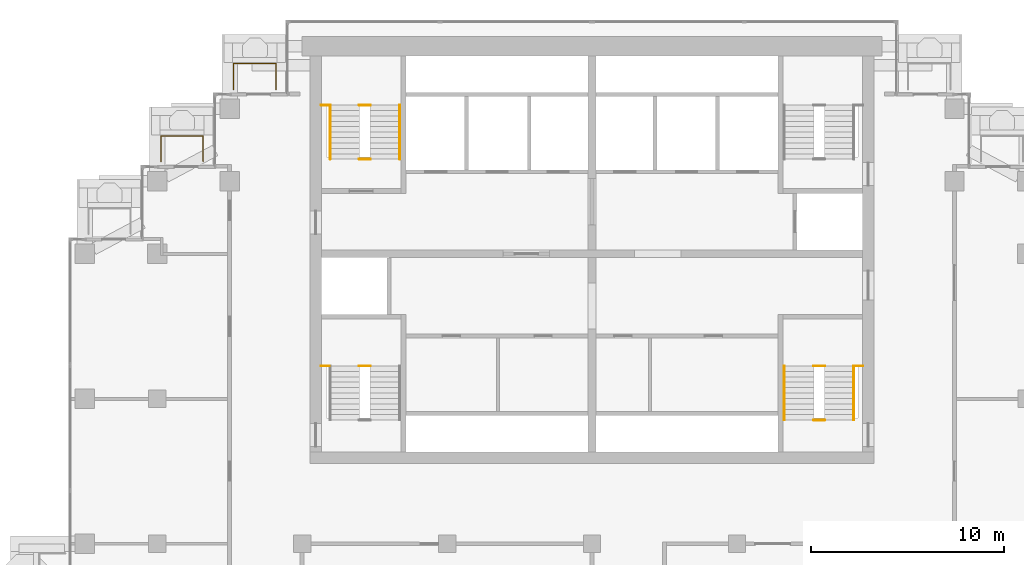
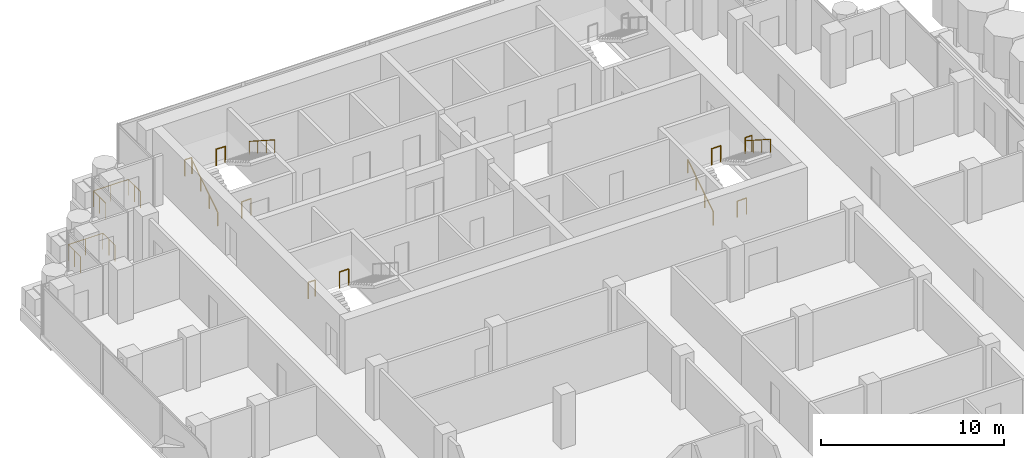
# One storey, part 16 of 18: 14 railings.
"""IFC4 building model written with IfcOpenShell, lengths in metres."""

from ifc_helpers import new_model, si_unit, direction, frame, origin, origin_2d, place, context, subcontext, project, spatial, circle, extrude, material, type_object, element, save


model = new_model("IFC4")

# Units and contexts
model_context = context("Model", 3, precision=1e-05, world=origin(), true_north=direction((0.0, 1.0)))
body_context = subcontext(model_context, "Body", "Model", "MODEL_VIEW")
ifc_project = project(units=[si_unit("LENGTHUNIT", "METRE"), si_unit("AREAUNIT", "SQUARE_METRE"), si_unit("VOLUMEUNIT", "CUBIC_METRE"), si_unit("PLANEANGLEUNIT", "RADIAN"), si_unit("MASSUNIT", "GRAM", prefix="KILO")], contexts=[model_context])

# Site, building, storey
site_placement = place(None, origin())
site = spatial("IfcSite", under=ifc_project, at=site_placement, CompositionType="ELEMENT")
building_placement = place(site_placement, origin())
building = spatial("IfcBuilding", under=site, at=building_placement, Name="Pilkhan Gate Tower", CompositionType="ELEMENT")
storey_placement = place(building_placement, frame((0.0, 0.0, 195.89990234375)))
storey = spatial("IfcBuildingStorey", under=building, at=storey_placement, Name="L50", CompositionType="ELEMENT", Elevation=195.89990234375)

# Railings
ifc_material_1 = material(Name="Pale anodised aluminium posts, laminated glass infill", Category="aluminium")
railing_type_1 = type_object("IfcRailingType", Name="Balcony guard G1", PredefinedType="BALUSTRADE", material=ifc_material_1)
railing_1_placement = place(storey_placement, frame((56.449951171875, 91.0, 0.0)))
element("IfcRailing", 1, at=railing_1_placement, inside=storey, type_object=railing_type_1, Name="Balcony guard L50 N", PredefinedType="BALUSTRADE", context=body_context, shape_type="SweptSolid", body=[
    extrude(circle(Radius=0.02392578125, at=origin_2d()), frame((0.0, 0.0, 1.076171875), z_axis=(0.0, 1.0, 0.0), x_axis=(-1.0, 0.0, 0.0)), (0.0, 0.0, 1.0), 1.35009765625),
    extrude(circle(Radius=0.02392578125, at=origin_2d()), frame((0.0, 1.35009765625, 1.076171875), z_axis=(1.0, 0.0, 0.0), x_axis=(0.0, 1.0, 0.0)), (0.0, 0.0, 1.0), 2.199951171875),
    extrude(circle(Radius=0.02392578125, at=origin_2d()), frame((2.199951171875, 1.35009765625, 1.076171875), z_axis=(0.0, -1.0, 0.0), x_axis=(1.0, 0.0, 0.0)), (0.0, 0.0, 1.0), 1.35009765625),
    extrude(circle(Radius=0.02099609375, at=origin_2d()), origin(), (0.0, 0.0, 1.0), 1.052001953125),
    extrude(circle(Radius=0.02099609375, at=origin_2d()), frame((0.0, 0.675048828125, 0.0)), (0.0, 0.0, 1.0), 1.052001953125),
    extrude(circle(Radius=0.02099609375, at=origin_2d()), frame((0.0, 1.35009765625, 0.0)), (0.0, 0.0, 1.0), 1.052001953125),
    extrude(circle(Radius=0.02099609375, at=origin_2d()), frame((1.10009765625, 1.35009765625, 0.0)), (0.0, 0.0, 1.0), 1.052001953125),
    extrude(circle(Radius=0.02099609375, at=origin_2d()), frame((2.199951171875, 1.35009765625, 0.0)), (0.0, 0.0, 1.0), 1.052001953125),
    extrude(circle(Radius=0.02099609375, at=origin_2d()), frame((2.199951171875, 0.675048828125, 0.0)), (0.0, 0.0, 1.0), 1.052001953125),
    extrude(circle(Radius=0.02099609375, at=origin_2d()), frame((2.199951171875, 0.0, 0.0)), (0.0, 0.0, 1.0), 1.052001953125),
])
railing_2_placement = place(storey_placement, frame((52.699951171875, 87.27001953125, 0.0)))
element("IfcRailing", 2, at=railing_2_placement, inside=storey, type_object=railing_type_1, Name="Balcony guard L50 N", PredefinedType="BALUSTRADE", context=body_context, shape_type="SweptSolid", body=[
    extrude(circle(Radius=0.02392578125, at=origin_2d()), frame((0.0, 0.0, 1.076171875), z_axis=(0.0, 1.0, 0.0), x_axis=(-1.0, 0.0, 0.0)), (0.0, 0.0, 1.0), 1.330078125),
    extrude(circle(Radius=0.02392578125, at=origin_2d()), frame((0.0, 1.330078125, 1.076171875), z_axis=(1.0, 0.0, 0.0), x_axis=(0.0, 1.0, 0.0)), (0.0, 0.0, 1.0), 2.179931640625),
    extrude(circle(Radius=0.02392578125, at=origin_2d()), frame((2.179931640625, 1.330078125, 1.076171875), z_axis=(0.0, -1.0, 0.0), x_axis=(1.0, 0.0, 0.0)), (0.0, 0.0, 1.0), 1.330078125),
    extrude(circle(Radius=0.02099609375, at=origin_2d()), origin(), (0.0, 0.0, 1.0), 1.052001953125),
    extrude(circle(Radius=0.02099609375, at=origin_2d()), frame((0.0, 0.6650390625, 0.0)), (0.0, 0.0, 1.0), 1.052001953125),
    extrude(circle(Radius=0.02099609375, at=origin_2d()), frame((0.0, 1.330078125, 0.0)), (0.0, 0.0, 1.0), 1.052001953125),
    extrude(circle(Radius=0.02099609375, at=origin_2d()), frame((1.08984375, 1.330078125, 0.0)), (0.0, 0.0, 1.0), 1.052001953125),
    extrude(circle(Radius=0.02099609375, at=origin_2d()), frame((2.179931640625, 1.330078125, 0.0)), (0.0, 0.0, 1.0), 1.052001953125),
    extrude(circle(Radius=0.02099609375, at=origin_2d()), frame((2.179931640625, 0.6650390625, 0.0)), (0.0, 0.0, 1.0), 1.052001953125),
    extrude(circle(Radius=0.02099609375, at=origin_2d()), frame((2.179931640625, 0.0, 0.0)), (0.0, 0.0, 1.0), 1.052001953125),
])
ifc_material_2 = material(Name="Black powder-coated steel tube", Category="steel")
railing_type_2 = type_object("IfcRailingType", Name="Stair handrail HR1", PredefinedType="HANDRAIL", material=ifc_material_2)
railing_3_placement = place(storey_placement, frame((84.949951171875, 73.89990234375, 0.0)))
element("IfcRailing", 3, at=railing_3_placement, inside=storey, type_object=railing_type_2, Name="Stair ST1 handrail L50", PredefinedType="HANDRAIL", context=body_context, shape_type="SweptSolid", body=[
    extrude(circle(Radius=0.02392578125, at=origin_2d()), frame((0.0, 0.0, 0.8759765625), z_axis=(0.0, 0.841176092368, 0.540761298198), x_axis=(-1.0, 0.0, 0.0)), (0.0, 0.0, 1.0), 3.32861328125),
    extrude(circle(Radius=0.02099609375, at=origin_2d()), origin(), (0.0, 0.0, 1.0), 0.851806640625),
    extrude(circle(Radius=0.02099609375, at=origin_2d()), frame((0.0, 0.933349609375, 0.60009765625)), (0.0, 0.0, 1.0), 0.851806640625),
    extrude(circle(Radius=0.02099609375, at=origin_2d()), frame((0.0, 1.86669921875, 1.199951171875)), (0.0, 0.0, 1.0), 0.851806640625),
    extrude(circle(Radius=0.02099609375, at=origin_2d()), frame((0.0, 2.800048828125, 1.800048828125)), (0.0, 0.0, 1.0), 0.851806640625),
])
railing_4_placement = place(storey_placement, frame((88.550048828125, 76.699951171875, 1.800048828125)))
element("IfcRailing", 4, at=railing_4_placement, inside=storey, type_object=railing_type_2, Name="Stair ST1 handrail L50", PredefinedType="HANDRAIL", context=body_context, shape_type="SweptSolid", body=[
    extrude(circle(Radius=0.02392578125, at=origin_2d()), frame((0.0, 0.0, 0.8759765625), z_axis=(0.0, -0.841176092368, 0.540761298198), x_axis=(1.0, 0.0, 0.0)), (0.0, 0.0, 1.0), 3.32861328125),
    extrude(circle(Radius=0.02099609375, at=origin_2d()), origin(), (0.0, 0.0, 1.0), 0.851806640625),
    extrude(circle(Radius=0.02099609375, at=origin_2d()), frame((0.0, -0.933349609375, 0.60009765625)), (0.0, 0.0, 1.0), 0.851806640625),
    extrude(circle(Radius=0.02099609375, at=origin_2d()), frame((0.0, -1.86669921875, 1.199951171875)), (0.0, 0.0, 1.0), 0.851806640625),
    extrude(circle(Radius=0.02099609375, at=origin_2d()), frame((0.0, -2.800048828125, 1.800048828125)), (0.0, 0.0, 1.0), 0.851806640625),
])
railing_5_placement = place(storey_placement, frame((61.449951171875, 87.39990234375, 0.0)))
element("IfcRailing", 5, at=railing_5_placement, inside=storey, type_object=railing_type_2, Name="Stair ST3 handrail L50", PredefinedType="HANDRAIL", context=body_context, shape_type="SweptSolid", body=[
    extrude(circle(Radius=0.02392578125, at=origin_2d()), frame((0.0, 0.0, 0.8759765625), z_axis=(0.0, 0.841176092368, 0.540761298198), x_axis=(-1.0, 0.0, 0.0)), (0.0, 0.0, 1.0), 3.32861328125),
    extrude(circle(Radius=0.02099609375, at=origin_2d()), origin(), (0.0, 0.0, 1.0), 0.851806640625),
    extrude(circle(Radius=0.02099609375, at=origin_2d()), frame((0.0, 0.933349609375, 0.60009765625)), (0.0, 0.0, 1.0), 0.851806640625),
    extrude(circle(Radius=0.02099609375, at=origin_2d()), frame((0.0, 1.86669921875, 1.199951171875)), (0.0, 0.0, 1.0), 0.851806640625),
    extrude(circle(Radius=0.02099609375, at=origin_2d()), frame((0.0, 2.800048828125, 1.800048828125)), (0.0, 0.0, 1.0), 0.851806640625),
])
railing_6_placement = place(storey_placement, frame((65.050048828125, 90.199951171875, 1.800048828125)))
element("IfcRailing", 6, at=railing_6_placement, inside=storey, type_object=railing_type_2, Name="Stair ST3 handrail L50", PredefinedType="HANDRAIL", context=body_context, shape_type="SweptSolid", body=[
    extrude(circle(Radius=0.02392578125, at=origin_2d()), frame((0.0, 0.0, 0.8759765625), z_axis=(0.0, -0.841176092368, 0.540761298198), x_axis=(1.0, 0.0, 0.0)), (0.0, 0.0, 1.0), 3.32861328125),
    extrude(circle(Radius=0.02099609375, at=origin_2d()), origin(), (0.0, 0.0, 1.0), 0.851806640625),
    extrude(circle(Radius=0.02099609375, at=origin_2d()), frame((0.0, -0.933349609375, 0.60009765625)), (0.0, 0.0, 1.0), 0.851806640625),
    extrude(circle(Radius=0.02099609375, at=origin_2d()), frame((0.0, -1.86669921875, 1.199951171875)), (0.0, 0.0, 1.0), 0.851806640625),
    extrude(circle(Radius=0.02099609375, at=origin_2d()), frame((0.0, -2.800048828125, 1.800048828125)), (0.0, 0.0, 1.0), 0.851806640625),
])
ifc_material_3 = material(Name="Black powder-coated steel balusters", Category="steel")
railing_type_3 = type_object("IfcRailingType", Name="Stair well guard G3", PredefinedType="GUARDRAIL", material=ifc_material_3)
railing_7_placement = place(storey_placement, frame((88.580078125, 76.699951171875, 1.800048828125)))
element("IfcRailing", 7, at=railing_7_placement, inside=storey, type_object=railing_type_3, Name="Stair ST1 well guard L50", PredefinedType="GUARDRAIL", context=body_context, shape_type="SweptSolid", body=[
    extrude(circle(Radius=0.02392578125, at=origin_2d()), frame((0.0, 0.0, 1.076171875), z_axis=(1.0, 0.0, 0.0), x_axis=(0.0, 1.0, 0.0)), (0.0, 0.0, 1.0), 0.43994140625),
    extrude(circle(Radius=0.02099609375, at=origin_2d()), origin(), (0.0, 0.0, 1.0), 1.052001953125),
    extrude(circle(Radius=0.02099609375, at=origin_2d()), frame((0.43994140625, 0.0, 0.0)), (0.0, 0.0, 1.0), 1.052001953125),
])
for number, where, name in (
    (8, (86.4599609375, 73.89990234375, 0.0), "Stair ST1 well guard L50"),
    (9, (86.4599609375, 76.699951171875, 1.800048828125), "Stair ST1 well guard L50"),
):
    element("IfcRailing", number, at=place(storey_placement, frame(where)), inside=storey, type_object=railing_type_3, Name=name, PredefinedType="GUARDRAIL", context=body_context, shape_type="SweptSolid", body=[
        extrude(circle(Radius=0.02392578125, at=origin_2d()), frame((0.0, 0.0, 1.076171875), z_axis=(1.0, 0.0, 0.0), x_axis=(0.0, 1.0, 0.0)), (0.0, 0.0, 1.0), 0.580078125),
        extrude(circle(Radius=0.02099609375, at=origin_2d()), origin(), (0.0, 0.0, 1.0), 1.052001953125),
        extrude(circle(Radius=0.02099609375, at=origin_2d()), frame((0.580078125, 0.0, 0.0)), (0.0, 0.0, 1.0), 1.052001953125),
    ])
railing_8_placement = place(storey_placement, frame((60.97998046875, 76.699951171875, 1.800048828125)))
element("IfcRailing", 10, at=railing_8_placement, inside=storey, type_object=railing_type_3, Name="Stair ST2 well guard L50", PredefinedType="GUARDRAIL", context=body_context, shape_type="SweptSolid", body=[
    extrude(circle(Radius=0.02392578125, at=origin_2d()), frame((0.0, 0.0, 1.076171875), z_axis=(1.0, 0.0, 0.0), x_axis=(0.0, 1.0, 0.0)), (0.0, 0.0, 1.0), 0.43994140625),
    extrude(circle(Radius=0.02099609375, at=origin_2d()), origin(), (0.0, 0.0, 1.0), 1.052001953125),
    extrude(circle(Radius=0.02099609375, at=origin_2d()), frame((0.43994140625, 0.0, 0.0)), (0.0, 0.0, 1.0), 1.052001953125),
])
railing_9_placement = place(storey_placement, frame((62.9599609375, 76.699951171875, 1.800048828125)))
element("IfcRailing", 11, at=railing_9_placement, inside=storey, type_object=railing_type_3, Name="Stair ST2 well guard L50", PredefinedType="GUARDRAIL", context=body_context, shape_type="SweptSolid", body=[
    extrude(circle(Radius=0.02392578125, at=origin_2d()), frame((0.0, 0.0, 1.076171875), z_axis=(1.0, 0.0, 0.0), x_axis=(0.0, 1.0, 0.0)), (0.0, 0.0, 1.0), 0.580078125),
    extrude(circle(Radius=0.02099609375, at=origin_2d()), origin(), (0.0, 0.0, 1.0), 1.052001953125),
    extrude(circle(Radius=0.02099609375, at=origin_2d()), frame((0.580078125, 0.0, 0.0)), (0.0, 0.0, 1.0), 1.052001953125),
])
railing_10_placement = place(storey_placement, frame((60.97998046875, 90.199951171875, 1.800048828125)))
element("IfcRailing", 12, at=railing_10_placement, inside=storey, type_object=railing_type_3, Name="Stair ST3 well guard L50", PredefinedType="GUARDRAIL", context=body_context, shape_type="SweptSolid", body=[
    extrude(circle(Radius=0.02392578125, at=origin_2d()), frame((0.0, 0.0, 1.076171875), z_axis=(1.0, 0.0, 0.0), x_axis=(0.0, 1.0, 0.0)), (0.0, 0.0, 1.0), 0.43994140625),
    extrude(circle(Radius=0.02099609375, at=origin_2d()), origin(), (0.0, 0.0, 1.0), 1.052001953125),
    extrude(circle(Radius=0.02099609375, at=origin_2d()), frame((0.43994140625, 0.0, 0.0)), (0.0, 0.0, 1.0), 1.052001953125),
])
for number, where, name in (
    (13, (62.9599609375, 87.39990234375, 0.0), "Stair ST3 well guard L50"),
    (14, (62.9599609375, 90.199951171875, 1.800048828125), "Stair ST3 well guard L50"),
):
    element("IfcRailing", number, at=place(storey_placement, frame(where)), inside=storey, type_object=railing_type_3, Name=name, PredefinedType="GUARDRAIL", context=body_context, shape_type="SweptSolid", body=[
        extrude(circle(Radius=0.02392578125, at=origin_2d()), frame((0.0, 0.0, 1.076171875), z_axis=(1.0, 0.0, 0.0), x_axis=(0.0, 1.0, 0.0)), (0.0, 0.0, 1.0), 0.580078125),
        extrude(circle(Radius=0.02099609375, at=origin_2d()), origin(), (0.0, 0.0, 1.0), 1.052001953125),
        extrude(circle(Radius=0.02099609375, at=origin_2d()), frame((0.580078125, 0.0, 0.0)), (0.0, 0.0, 1.0), 1.052001953125),
    ])

save(model, "model.ifc")
